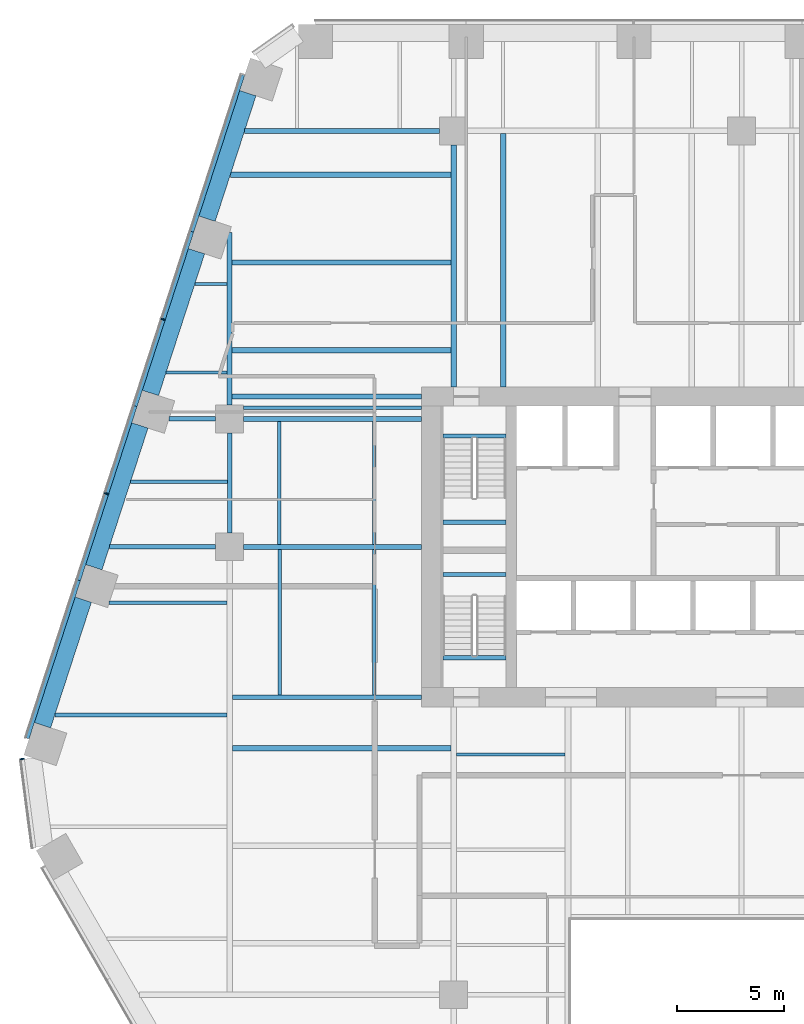
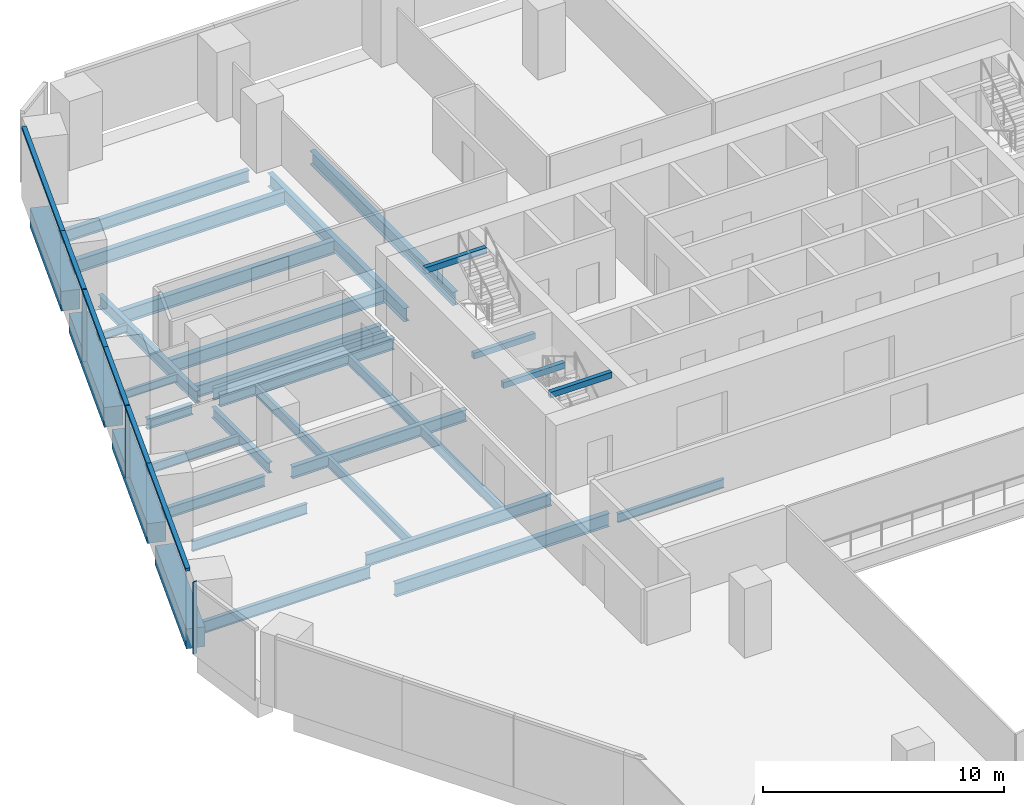
# One storey, part 8 of 19: 34 beams, 9 members, 2 elements without a shape of their own.
"""IFC4 building model written with IfcOpenShell, lengths in metres."""

import ifcopenshell
import ifcopenshell.guid

model = None  # the IFC model being written
_history = None  # IfcOwnerHistory: only IFC2X3 demands one
_inside = {}  # id of a spatial element -> (the spatial element, [elements in it])
_under = {}  # id of a project, library or spatial element -> (it, [spatial elements below it])
_declared = {}  # id of a project -> (the project, [libraries it declares])
_typed = {}  # id of a type object -> (the type object, [elements of that type])
_made_of = {}  # id of a material, layer set ... -> (it, [elements and type objects made of it])


def new_model(schema):
    """Start an empty IFC model of exactly this schema.

    Asked for "IFC4X3", IfcOpenShell would pick the latest addendum, in which some entities
    have other attributes; the version numbers below select the first issue.
    IFC2X3 requires an IfcOwnerHistory on every rooted entity: one is made here for all.
    """
    global model, _history
    if schema == "IFC4X3":
        model = ifcopenshell.file(schema_version=(4, 3, 0, 0))
    else:
        model = ifcopenshell.file(schema=schema)
    _inside.clear()
    _under.clear()
    _declared.clear()
    _typed.clear()
    _made_of.clear()
    _history = None
    if model.schema == "IFC2X3":
        org = make("IfcOrganization", Name="unknown")
        user = make(
            "IfcPersonAndOrganization",
            ThePerson=make("IfcPerson", FamilyName="unknown"),
            TheOrganization=org,
        )
        app = make(
            "IfcApplication",
            ApplicationDeveloper=org,
            Version="unknown",
            ApplicationFullName="unknown",
            ApplicationIdentifier="unknown",
        )
        _history = make(
            "IfcOwnerHistory",
            OwningUser=user,
            OwningApplication=app,
            ChangeAction="ADDED",
            CreationDate=0,
        )
    return model


def make(cls, **values):
    """One entity of the class cls with the attributes given. An attribute that is None is left unset."""
    return model.create_entity(
        cls, **{name: value for name, value in values.items() if value is not None}
    )


def rooted(cls, **values):
    """An entity with a GlobalId (a new one), such as an element, a storey or a relation."""
    return make(cls, GlobalId=ifcopenshell.guid.new(), OwnerHistory=_history, **values)


def si_unit(unit_type, name, prefix=None):
    """IfcSIUnit, for example si_unit("LENGTHUNIT", "METRE", prefix="MILLI")."""
    return make("IfcSIUnit", UnitType=unit_type, Prefix=prefix, Name=name)


def assignment(units):
    """IfcUnitAssignment: the units of a project."""
    return None if units is None else make("IfcUnitAssignment", Units=units)


def point(xyz):
    """IfcCartesianPoint."""
    return None if xyz is None else make("IfcCartesianPoint", Coordinates=xyz)


def direction(xyz):
    """IfcDirection."""
    return None if xyz is None else make("IfcDirection", DirectionRatios=xyz)


def frame(location, z_axis=None, x_axis=None):
    """IfcAxis2Placement3D, a coordinate frame: its origin and axes. An axis left out is left unset."""
    return make(
        "IfcAxis2Placement3D",
        Location=point(location),
        Axis=direction(z_axis),
        RefDirection=direction(x_axis),
    )


def frame_2d(location, x_axis=None):
    """IfcAxis2Placement2D, a coordinate frame in the plane: its origin and x axis."""
    return make(
        "IfcAxis2Placement2D", Location=point(location), RefDirection=direction(x_axis)
    )


def origin():
    """The frame at (0, 0, 0) with its axes left unset."""
    return frame((0.0, 0.0, 0.0))


def origin_2d():
    """The frame at (0, 0) in the plane with its x axis left unset."""
    return frame_2d((0.0, 0.0))


def place(relative_to, where):
    """IfcLocalPlacement: puts the frame where relative to a parent placement (None: the world)."""
    return make(
        "IfcLocalPlacement", PlacementRelTo=relative_to, RelativePlacement=where
    )


def context(
    kind, dimensions, precision=None, world=None, true_north=None, identifier=None
):
    """IfcGeometricRepresentationContext, for example the 3D "Model" context."""
    return make(
        "IfcGeometricRepresentationContext",
        ContextIdentifier=identifier,
        ContextType=kind,
        CoordinateSpaceDimension=dimensions,
        Precision=precision,
        WorldCoordinateSystem=world,
        TrueNorth=true_north,
    )


def subcontext(parent, identifier, kind, view, scale=None):
    """IfcGeometricRepresentationSubContext, for example "Body" below "Model"."""
    return make(
        "IfcGeometricRepresentationSubContext",
        ContextIdentifier=identifier,
        ContextType=kind,
        ParentContext=parent,
        TargetScale=scale,
        TargetView=view,
    )


def project(units=None, contexts=None):
    """IfcProject with its units and contexts."""
    return rooted(
        "IfcProject",
        Name="project",
        RepresentationContexts=contexts,
        UnitsInContext=assignment(units),
    )


def spatial(cls, under=None, at=None, **own):
    """A site, building, storey or space (cls), placed at a placement, below another one or the project."""
    s = rooted(cls, ObjectPlacement=at, **own)
    if under is not None:
        _under.setdefault(under.id(), (under, []))[1].append(s)
    return s


def profile(cls, at=None, kind="AREA", **sizes):
    """A parametric profile (cls). Its sizes go by their IFC names, for example OverallWidth=200.0."""
    return make(cls, ProfileType=kind, Position=at, **sizes)


def rectangle(**sizes):
    """IfcRectangleProfileDef."""
    return profile("IfcRectangleProfileDef", **sizes)


def i_section(**sizes):
    """IfcIShapeProfileDef."""
    return profile("IfcIShapeProfileDef", **sizes)


def extrude(swept, where, along, depth):
    """IfcExtrudedAreaSolid: the profile swept, set in the frame where, extruded along a direction by depth."""
    return make(
        "IfcExtrudedAreaSolid",
        SweptArea=swept,
        Position=where,
        ExtrudedDirection=direction(along),
        Depth=depth,
    )


def shape(context_of_items, identifier, shape_type, items):
    """IfcShapeRepresentation: the items that make up one representation, for example the "Body"."""
    return make(
        "IfcShapeRepresentation",
        ContextOfItems=context_of_items,
        RepresentationIdentifier=identifier,
        RepresentationType=shape_type,
        Items=items,
    )


def material(Name=None, Category=None):
    """IfcMaterial."""
    return make("IfcMaterial", Name=Name, Category=Category)


def layer(
    of_material, thickness, ventilated=None, Name=None, Category=None, Priority=None
):
    """IfcMaterialLayer: one layer of a wall or slab, of a material (None: an air gap)."""
    return make(
        "IfcMaterialLayer",
        Material=of_material,
        LayerThickness=thickness,
        IsVentilated=ventilated,
        Name=Name,
        Category=Category,
        Priority=Priority,
    )


def layer_set(layers, Name=None):
    """IfcMaterialLayerSet."""
    return make("IfcMaterialLayerSet", MaterialLayers=layers, LayerSetName=Name)


def material_profile(
    of_material, cross_section, Name=None, Category=None, Priority=None
):
    """IfcMaterialProfile: a cross section and its material."""
    return make(
        "IfcMaterialProfile",
        Name=Name,
        Material=of_material,
        Profile=cross_section,
        Priority=Priority,
        Category=Category,
    )


def profile_set(profiles, Name=None, composite=None):
    """IfcMaterialProfileSet."""
    return make(
        "IfcMaterialProfileSet",
        Name=Name,
        MaterialProfiles=profiles,
        CompositeProfile=composite,
    )


def made_of(thing, what):
    """Note that an element or type object is made of a material, layer set ...; save() writes the relation."""
    if what is not None:
        _made_of.setdefault(what.id(), (what, []))[1].append(thing)
    return thing


def type_object(cls, material=None, **own):
    """A type object (cls), such as IfcWallType, which elements share."""
    return made_of(rooted(cls, **own), material)


def element(
    cls,
    number,
    at=None,
    inside=None,
    cuts=None,
    type_object=None,
    material=None,
    context=None,
    identifier="Body",
    shape_type=None,
    held_by="IfcProductDefinitionShape",
    body=None,
    shapes=None,
    **own,
):
    """One element of the class cls, such as IfcWall. Its Tag is "e" and its number.

    at: its placement. inside: the storey or other place that contains it. cuts: it is an
    opening in that element (IfcRelVoidsElement). A single representation is given by context,
    identifier, shape_type and body (its items); several are given by shapes. held_by: the class
    of the entity that holds the representations. save() writes the other relations.
    """
    e = rooted(cls, Tag="e%d" % number, ObjectPlacement=at, **own)
    if body is not None:
        shapes = [shape(context, identifier, shape_type, body)]
    if shapes is not None:
        e.Representation = make(held_by, Representations=shapes)
    if inside is not None:
        _inside.setdefault(inside.id(), (inside, []))[1].append(e)
    if cuts is not None:
        rooted(
            "IfcRelVoidsElement", RelatingBuildingElement=cuts, RelatedOpeningElement=e
        )
    if type_object is not None:
        _typed.setdefault(type_object.id(), (type_object, []))[1].append(e)
    return made_of(e, material)


def aggregate(whole, parts):
    """IfcRelAggregates: a whole, such as a stair, and the parts it consists of."""
    return rooted("IfcRelAggregates", RelatingObject=whole, RelatedObjects=parts)


def save(model, path):
    """Write the relations noted so far, then the file.

    IfcRelAggregates (storeys below a building ...), IfcRelContainedInSpatialStructure (elements
    in a storey), IfcRelDefinesByType, IfcRelAssociatesMaterial and IfcRelDeclares: one each for
    every whole, place, type object, material and project.
    """
    for whole, parts in _under.values():
        aggregate(whole, parts)
    for where, things in _inside.values():
        rooted(
            "IfcRelContainedInSpatialStructure",
            RelatedElements=things,
            RelatingStructure=where,
        )
    for kind, things in _typed.values():
        rooted("IfcRelDefinesByType", RelatedObjects=things, RelatingType=kind)
    for what, things in _made_of.values():
        rooted("IfcRelAssociatesMaterial", RelatedObjects=things, RelatingMaterial=what)
    for by, libraries in _declared.values():
        rooted("IfcRelDeclares", RelatingContext=by, RelatedDefinitions=libraries)
    model.write(path)


model = new_model("IFC4")

# Units and contexts
model_context = context("Model", 3, precision=1e-05, world=origin(), true_north=direction((0.0, 1.0)))
body_context = subcontext(model_context, "Body", "Model", "MODEL_VIEW")
ifc_project = project(units=[si_unit("LENGTHUNIT", "METRE"), si_unit("AREAUNIT", "SQUARE_METRE"), si_unit("VOLUMEUNIT", "CUBIC_METRE"), si_unit("PLANEANGLEUNIT", "RADIAN"), si_unit("MASSUNIT", "GRAM", prefix="KILO")], contexts=[model_context])

# Site, building, storey
site_placement = place(None, origin())
site = spatial("IfcSite", under=ifc_project, at=site_placement, CompositionType="ELEMENT")
building_placement = place(site_placement, origin())
building = spatial("IfcBuilding", under=site, at=building_placement, Name="Isthmus Gate Tower", CompositionType="ELEMENT")
storey_placement = place(building_placement, frame((0.0, 0.0, 91.60009765625)))
storey = spatial("IfcBuildingStorey", under=building, at=storey_placement, Name="L21", CompositionType="ELEMENT", Elevation=91.60009765625)

# Curtain wall, members
ifc_material_1 = material(Name="Aluminium, pale champagne anodised", Category="aluminium")
ifc_layer = layer(ifc_material_1, 0.199951171875)
ifc_layer_set = layer_set([ifc_layer], Name="CW-1 UNITISED CURTAIN WALL 200 DEEP")
curtain_wall_type = type_object("IfcCurtainWallType", Name="CW-1 UNITISED CURTAIN WALL 200 DEEP", PredefinedType="NOTDEFINED", material=ifc_layer_set)
curtain_wall_1_placement = place(storey_placement, origin())
curtain_wall_1 = element("IfcCurtainWall", 1, at=curtain_wall_1_placement, inside=storey, type_object=curtain_wall_type, Name="CW-1 NW L21", PredefinedType="NOTDEFINED")
ifc_material_2 = material(Name="Aluminium, pale champagne anodised", Category="aluminium")
ifc_material_profile_1 = material_profile(ifc_material_2, rectangle(XDim=0.06005859375, YDim=0.199951171875, at=origin_2d()), Name="60x200")
ifc_profile_set_1 = profile_set([ifc_material_profile_1], Name="Aluminium, pale champagne anodised")
member_type_1 = type_object("IfcMemberType", Name="CW-1 MULLION 60 X 200", PredefinedType="MULLION", material=ifc_profile_set_1)
member_1_placement = place(storey_placement, frame((-27.11474609375, 18.163818359375, 0.0), z_axis=(0.0, 0.0, 1.0), x_axis=(-0.309016994375, -0.951056516295, 0.0)))
member_1 = element("IfcMember", 2, at=member_1_placement, type_object=member_type_1, Name="CW-1 mullion", PredefinedType="MULLION", context=body_context, shape_type="SweptSolid", body=[
    extrude(rectangle(XDim=0.06005859375, YDim=0.199951171875, at=origin_2d()), origin(), (0.0, 0.0, 1.0), 3.64990234375),
])
member_2_placement = place(storey_placement, frame((-29.76904296875, 9.994873046875, 0.0), z_axis=(0.0, 0.0, 1.0), x_axis=(-0.309016994375, -0.951056516295, 0.0)))
member_2 = element("IfcMember", 3, at=member_2_placement, type_object=member_type_1, Name="CW-1 mullion", PredefinedType="MULLION", context=body_context, shape_type="SweptSolid", body=[
    extrude(rectangle(XDim=0.06005859375, YDim=0.199951171875, at=origin_2d()), origin(), (0.0, 0.0, 1.0), 3.64990234375),
])

# Curtain wall, member
curtain_wall_2_placement = place(storey_placement, origin())
curtain_wall_2 = element("IfcCurtainWall", 4, at=curtain_wall_2_placement, inside=storey, type_object=curtain_wall_type, Name="CW-1 NW-SW L21", PredefinedType="NOTDEFINED")
member_3_placement = place(storey_placement, frame((-33.722900390625, -2.44482421875, 0.0), z_axis=(0.0, 0.0, 1.0), x_axis=(0.129164534, -0.991623175988, 0.0)))
member_3 = element("IfcMember", 5, at=member_3_placement, type_object=member_type_1, Name="CW-1 mullion", PredefinedType="MULLION", context=body_context, shape_type="SweptSolid", body=[
    extrude(rectangle(XDim=0.06005859375, YDim=0.199951171875, at=origin_2d()), origin(), (0.0, 0.0, 1.0), 3.64990234375),
])
aggregate(curtain_wall_2, [member_3])

# Member
ifc_material_3 = material(Name="Aluminium, pale champagne anodised", Category="aluminium")
ifc_material_profile_2 = material_profile(ifc_material_3, rectangle(XDim=0.199951171875, YDim=0.14990234375, at=origin_2d()), Name="200x150")
ifc_profile_set_2 = profile_set([ifc_material_profile_2], Name="Aluminium, pale champagne anodised")
member_type_2 = type_object("IfcMemberType", Name="CW-1 TRANSOM 200 X 150", PredefinedType="USERDEFINED", material=ifc_profile_set_2)
member_4_placement = place(storey_placement, frame((-23.389892578125, 29.6279296875, 3.574951171875), z_axis=(-0.309036077329, -0.951050315656, 0.0), x_axis=(0.951050315656, -0.309036077329, 0.0)))
member_4 = element("IfcMember", 6, at=member_4_placement, type_object=member_type_2, Name="CW-1 transom", ObjectType="TRANSOM", PredefinedType="USERDEFINED", context=body_context, shape_type="SweptSolid", body=[
    extrude(rectangle(XDim=0.199951171875, YDim=0.14990234375, at=origin_2d()), origin(), (0.0, 0.0, 1.0), 7.7294921875),
])

member_5_placement = place(storey_placement, frame((-25.778564453125, 22.27685546875, 3.574951171875), z_axis=(-0.309021801109, -0.951054954479, 0.0), x_axis=(0.951054954479, -0.309021801109, 0.0)))
member_5 = element("IfcMember", 7, at=member_5_placement, type_object=member_type_2, Name="CW-1 transom", ObjectType="TRANSOM", PredefinedType="USERDEFINED", context=body_context, shape_type="SweptSolid", body=[
    extrude(rectangle(XDim=0.199951171875, YDim=0.14990234375, at=origin_2d()), origin(), (0.0, 0.0, 1.0), 4.294677734375),
])

member_6_placement = place(storey_placement, frame((-27.1240234375, 18.13525390625, 3.574951171875), z_axis=(-0.309023496777, -0.951054403512, 0.0), x_axis=(0.951054403512, -0.309023496777, 0.0)))
member_6 = element("IfcMember", 8, at=member_6_placement, type_object=member_type_2, Name="CW-1 transom", ObjectType="TRANSOM", PredefinedType="USERDEFINED", context=body_context, shape_type="SweptSolid", body=[
    extrude(rectangle(XDim=0.199951171875, YDim=0.14990234375, at=origin_2d()), origin(), (0.0, 0.0, 1.0), 4.234619140625),
])

member_7_placement = place(storey_placement, frame((-28.4326171875, 14.10791015625, 3.574951171875), z_axis=(-0.309021801109, -0.951054954479, 0.0), x_axis=(0.951054954479, -0.309021801109, 0.0)))
member_7 = element("IfcMember", 9, at=member_7_placement, type_object=member_type_2, Name="CW-1 transom", ObjectType="TRANSOM", PredefinedType="USERDEFINED", context=body_context, shape_type="SweptSolid", body=[
    extrude(rectangle(XDim=0.199951171875, YDim=0.14990234375, at=origin_2d()), origin(), (0.0, 0.0, 1.0), 4.294677734375),
])

member_8_placement = place(storey_placement, frame((-29.7783203125, 9.96630859375, 3.574951171875), z_axis=(-0.309023496777, -0.951054403512, 0.0), x_axis=(0.951054403512, -0.309023496777, 0.0)))
member_8 = element("IfcMember", 10, at=member_8_placement, type_object=member_type_2, Name="CW-1 transom", ObjectType="TRANSOM", PredefinedType="USERDEFINED", context=body_context, shape_type="SweptSolid", body=[
    extrude(rectangle(XDim=0.199951171875, YDim=0.14990234375, at=origin_2d()), origin(), (0.0, 0.0, 1.0), 4.234619140625),
])

member_9_placement = place(storey_placement, frame((-31.0869140625, 5.93896484375, 3.574951171875), z_axis=(-0.309015907338, -0.951056869494, 0.0), x_axis=(0.951056869494, -0.309015907338, 0.0)))
member_9 = element("IfcMember", 11, at=member_9_placement, type_object=member_type_2, Name="CW-1 transom", ObjectType="TRANSOM", PredefinedType="USERDEFINED", context=body_context, shape_type="SweptSolid", body=[
    extrude(rectangle(XDim=0.199951171875, YDim=0.14990234375, at=origin_2d()), origin(), (0.0, 0.0, 1.0), 7.789306640625),
])

aggregate(curtain_wall_1, [member_4, member_5, member_1, member_6, member_7, member_2, member_8, member_9])

# Beams
ifc_material_4 = material(Name="Concrete f'c 70 MPa", Category="concrete")
ifc_material_profile_3 = material_profile(ifc_material_4, rectangle(XDim=0.800048828125, YDim=1.0, at=origin_2d()), Name="RC 800X1000")
ifc_profile_set_3 = profile_set([ifc_material_profile_3], Name="Concrete f'c 70 MPa")
beam_type_1 = type_object("IfcBeamType", Name="RC SPANDREL 800 X 1000", PredefinedType="SPANDREL", material=ifc_profile_set_3)
beam_1_placement = place(storey_placement, frame((-32.771240234375, -0.86279296875, -0.5), z_axis=(0.309012042366, 0.951058125286, 0.0), x_axis=(-0.951058125286, 0.309012042366, 0.0)))
element("IfcBeam", 12, at=beam_1_placement, inside=storey, type_object=beam_type_1, Name="str-spandrel-L21-18", PredefinedType="SPANDREL", context=body_context, shape_type="SweptSolid", body=[
    extrude(rectangle(XDim=0.800048828125, YDim=1.0, at=origin_2d()), origin(), (0.0, 0.0, 1.0), 6.189453125),
])
for number, where, z_axis, x_axis, name in (
    (13, (-30.3642578125, 6.54541015625, -0.5), (0.309029993465, 0.951052292537, 0.0), (-0.951052292537, 0.309029993465, 0.0), "str-spandrel-L21-19"),
    (14, (-27.7099609375, 14.71435546875, -0.5), (0.309029993465, 0.951052292537, 0.0), (-0.951052292537, 0.309029993465, 0.0), "str-spandrel-L21-20"),
):
    element("IfcBeam", number, at=place(storey_placement, frame(where, z_axis=z_axis, x_axis=x_axis)), inside=storey, type_object=beam_type_1, Name=name, PredefinedType="SPANDREL", context=body_context, shape_type="SweptSolid", body=[
        extrude(rectangle(XDim=0.800048828125, YDim=1.0, at=origin_2d()), origin(), (0.0, 0.0, 1.0), 6.9892578125),
    ])
beam_2_placement = place(storey_placement, frame((-25.0556640625, 22.88330078125, -0.5), z_axis=(0.309023635203, 0.951054358534, 0.0), x_axis=(-0.951054358534, 0.309023635203, 0.0)))
element("IfcBeam", 15, at=beam_2_placement, inside=storey, type_object=beam_type_1, Name="str-spandrel-L21-21", PredefinedType="SPANDREL", context=body_context, shape_type="SweptSolid", body=[
    extrude(rectangle(XDim=0.800048828125, YDim=1.0, at=origin_2d()), origin(), (0.0, 0.0, 1.0), 6.189208984375),
])
ifc_material_5 = material(Name="Concrete f'c 40 MPa", Category="concrete")
ifc_material_profile_4 = material_profile(ifc_material_5, rectangle(XDim=0.199951171875, YDim=0.300048828125, at=origin_2d()), Name="STAIR LANDING BEAM RC 200 X 300")
ifc_profile_set_4 = profile_set([ifc_material_profile_4], Name="Concrete f'c 40 MPa")
beam_type_2 = type_object("IfcBeamType", Name="STAIR LANDING BEAM RC 200 X 300", PredefinedType="BEAM", material=ifc_profile_set_4)
for number, where, z_axis, x_axis, name in (
    (16, (-14.0, 8.64990234375, 1.474853515625), (1.0, 0.0, 0.0), (0.0, 1.0, 0.0), "L21 ST1 landing beam 1"),
    (17, (-14.0, 12.7001953125, 3.349853515625), (1.0, 0.0, 0.0), (0.0, 1.0, 0.0), "L21 ST1 floor-edge seat beam"),
    (18, (-14.0, 6.199951171875, 1.474853515625), (1.0, 0.0, 0.0), (0.0, 1.0, 0.0), "L21 ST7 landing beam 1"),
    (19, (-14.0, 2.2998046875, 3.349853515625), (1.0, 0.0, 0.0), (0.0, 1.0, 0.0), "L21 ST7 floor-edge seat beam"),
):
    element("IfcBeam", number, at=place(storey_placement, frame(where, z_axis=z_axis, x_axis=x_axis)), inside=storey, type_object=beam_type_2, Name=name, PredefinedType="BEAM", context=body_context, shape_type="SweptSolid", body=[
        extrude(rectangle(XDim=0.199951171875, YDim=0.300048828125, at=origin_2d()), origin(), (0.0, 0.0, 1.0), 2.949951171875),
    ])
ifc_material_6 = material(Name="Structural steel ASTM A992 Gr 50", Category="steel")
ifc_material_profile_5 = material_profile(ifc_material_6, i_section(OverallWidth=0.1396484375, OverallDepth=0.4033203125, WebThickness=0.00634765625, FlangeThickness=0.010986328125, at=origin_2d()), Name="W16X31")
ifc_profile_set_5 = profile_set([ifc_material_profile_5], Name="Structural steel ASTM A992 Gr 50")
beam_type_3 = type_object("IfcBeamType", Name="STEEL FLOOR BEAM W16X31", PredefinedType="JOIST", material=ifc_profile_set_5)
beam_3_placement = place(storey_placement, frame((-26.976318359375, 15.677978515625, -0.351806640625), z_axis=(1.0, 0.0, 0.0), x_axis=(0.0, 1.0, 0.0)))
element("IfcBeam", 20, at=beam_3_placement, inside=storey, type_object=beam_type_3, Name="str-beam-L21-02-00", PredefinedType="JOIST", context=body_context, shape_type="SweptSolid", body=[
    extrude(i_section(OverallWidth=0.1396484375, OverallDepth=0.4033203125, WebThickness=0.00634765625, FlangeThickness=0.010986328125, at=origin_2d()), origin(), (0.0, 0.0, 1.0), 2.862060546875),
])
beam_4_placement = place(storey_placement, frame((-25.629150390625, 19.82421875, -0.351806640625), z_axis=(1.0, 0.0, 0.0), x_axis=(0.0, 1.0, 0.0)))
element("IfcBeam", 21, at=beam_4_placement, inside=storey, type_object=beam_type_3, Name="str-beam-L21-02-01", PredefinedType="JOIST", context=body_context, shape_type="SweptSolid", body=[
    extrude(i_section(OverallWidth=0.1396484375, OverallDepth=0.4033203125, WebThickness=0.00634765625, FlangeThickness=0.010986328125, at=origin_2d()), origin(), (0.0, 0.0, 1.0), 1.514892578125),
])
ifc_material_7 = material(Name="Structural steel ASTM A992 Gr 50", Category="steel")
ifc_material_profile_6 = material_profile(ifc_material_7, i_section(OverallWidth=0.15234375, OverallDepth=0.45068359375, WebThickness=0.0078125, FlangeThickness=0.010986328125, at=origin_2d()), Name="W18X35")
ifc_profile_set_6 = profile_set([ifc_material_profile_6], Name="Structural steel ASTM A992 Gr 50")
beam_type_4 = type_object("IfcBeamType", Name="STEEL FLOOR BEAM W18X35", PredefinedType="JOIST", material=ifc_profile_set_6)
beam_5_placement = place(storey_placement, frame((-28.6416015625, 10.552490234375, -0.37548828125), z_axis=(1.0, 0.0, 0.0), x_axis=(0.0, 1.0, 0.0)))
element("IfcBeam", 22, at=beam_5_placement, inside=storey, type_object=beam_type_4, Name="str-beam-L21-01-00", PredefinedType="JOIST", context=body_context, shape_type="SweptSolid", body=[
    extrude(i_section(OverallWidth=0.15234375, OverallDepth=0.45068359375, WebThickness=0.0078125, FlangeThickness=0.010986328125, at=origin_2d()), origin(), (0.0, 0.0, 1.0), 4.536865234375),
])
beam_6_placement = place(storey_placement, frame((-13.3681640625, -2.232421875, -0.37548828125), z_axis=(1.0, 0.0, 0.0), x_axis=(0.0, 1.0, 0.0)))
element("IfcBeam", 23, at=beam_6_placement, inside=storey, type_object=beam_type_4, Name="str-beam-L21-12-02", PredefinedType="JOIST", context=body_context, shape_type="SweptSolid", body=[
    extrude(i_section(OverallWidth=0.15234375, OverallDepth=0.45068359375, WebThickness=0.0078125, FlangeThickness=0.010986328125, at=origin_2d()), origin(), (0.0, 0.0, 1.0), 5.1015625),
])
ifc_material_8 = material(Name="Structural steel ASTM A992 Gr 50", Category="steel")
ifc_material_profile_7 = material_profile(ifc_material_8, i_section(OverallWidth=0.1650390625, OverallDepth=0.52392578125, WebThickness=0.009521484375, FlangeThickness=0.010986328125, at=origin_2d()), Name="W21X44")
ifc_profile_set_7 = profile_set([ifc_material_profile_7], Name="Structural steel ASTM A992 Gr 50")
beam_type_5 = type_object("IfcBeamType", Name="STEEL FLOOR BEAM W21X44", PredefinedType="JOIST", material=ifc_profile_set_7)
beam_7_placement = place(storey_placement, frame((-29.645263671875, 4.875, -0.412109375), z_axis=(1.0, 0.0, 0.0), x_axis=(0.0, 1.0, 0.0)))
element("IfcBeam", 24, at=beam_7_placement, inside=storey, type_object=beam_type_5, Name="str-beam-L21-00-03", PredefinedType="JOIST", context=body_context, shape_type="SweptSolid", body=[
    extrude(i_section(OverallWidth=0.1650390625, OverallDepth=0.52392578125, WebThickness=0.009521484375, FlangeThickness=0.010986328125, at=origin_2d()), origin(), (0.0, 0.0, 1.0), 5.511962890625),
])
for number, where, z_axis, x_axis, name in (
    (25, (-21.64990234375, 0.564208984375, -0.412109375), (0.0, 1.0, 0.0), (-1.0, 0.0, 0.0), "str-beam-L21-03-00"),
    (26, (-17.216552734375, 0.564208984375, -0.412109375), (0.0, 1.0, 0.0), (-1.0, 0.0, 0.0), "str-beam-L21-03-01"),
):
    element("IfcBeam", number, at=place(storey_placement, frame(where, z_axis=z_axis, x_axis=x_axis)), inside=storey, type_object=beam_type_5, Name=name, PredefinedType="JOIST", context=body_context, shape_type="SweptSolid", body=[
        extrude(i_section(OverallWidth=0.1650390625, OverallDepth=0.52392578125, WebThickness=0.009521484375, FlangeThickness=0.010986328125, at=origin_2d()), origin(), (0.0, 0.0, 1.0), 6.821533203125),
    ])
for number, where, z_axis, x_axis, name in (
    (27, (-21.67138671875, 7.6142578125, -0.412109375), (0.0, 1.0, 0.0), (-1.0, 0.0, 0.0), "str-beam-L21-04-00"),
    (28, (-17.223876953125, 7.6142578125, -0.412109375), (0.0, 1.0, 0.0), (-1.0, 0.0, 0.0), "str-beam-L21-04-01"),
):
    element("IfcBeam", number, at=place(storey_placement, frame(where, z_axis=z_axis, x_axis=x_axis)), inside=storey, type_object=beam_type_5, Name=name, PredefinedType="JOIST", context=body_context, shape_type="SweptSolid", body=[
        extrude(i_section(OverallWidth=0.1650390625, OverallDepth=0.52392578125, WebThickness=0.009521484375, FlangeThickness=0.010986328125, at=origin_2d()), origin(), (0.0, 0.0, 1.0), 5.771484375),
    ])
ifc_material_9 = material(Name="Structural steel ASTM A992 Gr 50", Category="steel")
ifc_material_profile_8 = material_profile(ifc_material_9, i_section(OverallWidth=0.177734375, OverallDepth=0.60009765625, WebThickness=0.009521484375, FlangeThickness=0.0126953125, at=origin_2d()), Name="W24X55")
ifc_profile_set_8 = profile_set([ifc_material_profile_8], Name="Structural steel ASTM A992 Gr 50")
beam_type_6 = type_object("IfcBeamType", Name="STEEL FLOOR BEAM W24X55", PredefinedType="JOIST", material=ifc_profile_set_8)
beam_8_placement = place(storey_placement, frame((-32.192138671875, -0.375, -0.4501953125), z_axis=(1.0, 0.0, 0.0), x_axis=(0.0, 1.0, 0.0)))
element("IfcBeam", 29, at=beam_8_placement, inside=storey, type_object=beam_type_6, Name="str-beam-L21-00-02", PredefinedType="JOIST", context=body_context, shape_type="SweptSolid", body=[
    extrude(i_section(OverallWidth=0.177734375, OverallDepth=0.60009765625, WebThickness=0.009521484375, FlangeThickness=0.0126953125, at=origin_2d()), origin(), (0.0, 0.0, 1.0), 8.058837890625),
])
beam_9_placement = place(storey_placement, frame((-23.35009765625, 14.02490234375, -0.4501953125), z_axis=(1.0, 0.0, 0.0), x_axis=(0.0, 1.0, 0.0)))
element("IfcBeam", 30, at=beam_9_placement, inside=storey, type_object=beam_type_6, Name="str-beam-L21-05-00", PredefinedType="JOIST", context=body_context, shape_type="SweptSolid", body=[
    extrude(i_section(OverallWidth=0.177734375, OverallDepth=0.60009765625, WebThickness=0.009521484375, FlangeThickness=0.0126953125, at=origin_2d()), origin(), (0.0, 0.0, 1.0), 8.35009765625),
])
ifc_material_10 = material(Name="Structural steel ASTM A992 Gr 50", Category="steel")
ifc_material_profile_9 = material_profile(ifc_material_10, i_section(OverallWidth=0.25390625, OverallDepth=0.679443359375, WebThickness=0.010986328125, FlangeThickness=0.015869140625, at=origin_2d()), Name="W27X84")
ifc_profile_set_9 = profile_set([ifc_material_profile_9], Name="Structural steel ASTM A992 Gr 50")
beam_type_7 = type_object("IfcBeamType", Name="STEEL FLOOR BEAM W27X84", PredefinedType="JOIST", material=ifc_profile_set_9)
for number, where, z_axis, x_axis, name in (
    (31, (-23.8857421875, 16.72021484375, -0.48974609375), (1.0, 0.0, 0.0), (0.0, 1.0, 0.0), "str-beam-L21-07-00"),
    (32, (-23.8857421875, 20.83203125, -0.48974609375), (1.0, 0.0, 0.0), (0.0, 1.0, 0.0), "str-beam-L21-07-01"),
):
    element("IfcBeam", number, at=place(storey_placement, frame(where, z_axis=z_axis, x_axis=x_axis)), inside=storey, type_object=beam_type_7, Name=name, PredefinedType="JOIST", context=body_context, shape_type="SweptSolid", body=[
        extrude(i_section(OverallWidth=0.25390625, OverallDepth=0.679443359375, WebThickness=0.010986328125, FlangeThickness=0.015869140625, at=origin_2d()), origin(), (0.0, 0.0, 1.0), 10.2587890625),
    ])
beam_10_placement = place(storey_placement, frame((-23.965576171875, 24.944091796875, -0.48974609375), z_axis=(1.0, 0.0, 0.0), x_axis=(0.0, 1.0, 0.0)))
element("IfcBeam", 33, at=beam_10_placement, inside=storey, type_object=beam_type_7, Name="str-beam-L21-07-02", PredefinedType="JOIST", context=body_context, shape_type="SweptSolid", body=[
    extrude(i_section(OverallWidth=0.25390625, OverallDepth=0.679443359375, WebThickness=0.010986328125, FlangeThickness=0.015869140625, at=origin_2d()), origin(), (0.0, 0.0, 1.0), 10.338623046875),
])
beam_11_placement = place(storey_placement, frame((-23.86669921875, -1.947998046875, -0.48974609375), z_axis=(1.0, 0.0, 0.0), x_axis=(0.0, 1.0, 0.0)))
element("IfcBeam", 34, at=beam_11_placement, inside=storey, type_object=beam_type_7, Name="str-beam-L21-08-02", PredefinedType="JOIST", context=body_context, shape_type="SweptSolid", body=[
    extrude(i_section(OverallWidth=0.25390625, OverallDepth=0.679443359375, WebThickness=0.010986328125, FlangeThickness=0.015869140625, at=origin_2d()), origin(), (0.0, 0.0, 1.0), 10.23486328125),
])
beam_12_placement = place(storey_placement, frame((-11.165283203125, 15.0, -0.48974609375), z_axis=(0.0, 1.0, 0.0), x_axis=(-1.0, 0.0, 0.0)))
element("IfcBeam", 35, at=beam_12_placement, inside=storey, type_object=beam_type_7, Name="str-beam-L21-14-00", PredefinedType="JOIST", context=body_context, shape_type="SweptSolid", body=[
    extrude(i_section(OverallWidth=0.25390625, OverallDepth=0.679443359375, WebThickness=0.010986328125, FlangeThickness=0.015869140625, at=origin_2d()), origin(), (0.0, 0.0, 1.0), 11.8681640625),
])
ifc_material_11 = material(Name="Structural steel ASTM A992 Gr 50", Category="steel")
ifc_material_profile_10 = material_profile(ifc_material_11, i_section(OverallWidth=0.20947265625, OverallDepth=0.533447265625, WebThickness=0.009521484375, FlangeThickness=0.015869140625, at=origin_2d()), Name="W21X62")
ifc_profile_set_10 = profile_set([ifc_material_profile_10], Name="Structural steel ASTM A992 Gr 50")
beam_type_8 = type_object("IfcBeamType", Name="STEEL GIRDER W21X62", PredefinedType="BEAM", material=ifc_profile_set_10)
beam_13_placement = place(storey_placement, frame((-29.633544921875, 7.5, -0.416748046875), z_axis=(1.0, 0.0, 0.0), x_axis=(0.0, 1.0, 0.0)))
element("IfcBeam", 36, at=beam_13_placement, inside=storey, type_object=beam_type_8, Name="str-girder-L21-09", PredefinedType="BEAM", context=body_context, shape_type="SweptSolid", body=[
    extrude(i_section(OverallWidth=0.20947265625, OverallDepth=0.533447265625, WebThickness=0.009521484375, FlangeThickness=0.015869140625, at=origin_2d()), origin(), (0.0, 0.0, 1.0), 4.983642578125),
])
beam_14_placement = place(storey_placement, frame((-26.8427734375, 13.5, -0.416748046875), z_axis=(1.0, 0.0, 0.0), x_axis=(0.0, 1.0, 0.0)))
element("IfcBeam", 37, at=beam_14_placement, inside=storey, type_object=beam_type_8, Name="str-girder-L21-13", PredefinedType="BEAM", context=body_context, shape_type="SweptSolid", body=[
    extrude(i_section(OverallWidth=0.20947265625, OverallDepth=0.533447265625, WebThickness=0.009521484375, FlangeThickness=0.015869140625, at=origin_2d()), origin(), (0.0, 0.0, 1.0), 2.19287109375),
])
beam_15_placement = place(storey_placement, frame((-24.0, 8.14990234375, -0.416748046875), z_axis=(0.0, 1.0, 0.0), x_axis=(-1.0, 0.0, 0.0)))
element("IfcBeam", 38, at=beam_15_placement, inside=storey, type_object=beam_type_8, Name="str-girder-L21-22", PredefinedType="BEAM", context=body_context, shape_type="SweptSolid", body=[
    extrude(i_section(OverallWidth=0.20947265625, OverallDepth=0.533447265625, WebThickness=0.009521484375, FlangeThickness=0.015869140625, at=origin_2d()), origin(), (0.0, 0.0, 1.0), 4.7001953125),
])
ifc_material_12 = material(Name="Structural steel ASTM A992 Gr 50", Category="steel")
ifc_material_profile_11 = material_profile(ifc_material_12, i_section(OverallWidth=0.228515625, OverallDepth=0.6064453125, WebThickness=0.010986328125, FlangeThickness=0.017578125, at=origin_2d()), Name="W24X76")
ifc_profile_set_11 = profile_set([ifc_material_profile_11], Name="Structural steel ASTM A992 Gr 50")
beam_type_9 = type_object("IfcBeamType", Name="STEEL GIRDER W24X76", PredefinedType="BEAM", material=ifc_profile_set_11)
for number, where, z_axis, x_axis, name in (
    (39, (-23.35009765625, 7.5, -0.453369140625), (1.0, 0.0, 0.0), (0.0, 1.0, 0.0), "str-girder-L21-10"),
    (40, (-23.35009765625, 13.5, -0.453369140625), (1.0, 0.0, 0.0), (0.0, 1.0, 0.0), "str-girder-L21-14"),
):
    element("IfcBeam", number, at=place(storey_placement, frame(where, z_axis=z_axis, x_axis=x_axis)), inside=storey, type_object=beam_type_9, Name=name, PredefinedType="BEAM", context=body_context, shape_type="SweptSolid", body=[
        extrude(i_section(OverallWidth=0.228515625, OverallDepth=0.6064453125, WebThickness=0.010986328125, FlangeThickness=0.017578125, at=origin_2d()), origin(), (0.0, 0.0, 1.0), 8.35009765625),
    ])
beam_16_placement = place(storey_placement, frame((-23.297607421875, 27.0, -0.453369140625), z_axis=(1.0, 0.0, 0.0), x_axis=(0.0, 1.0, 0.0)))
element("IfcBeam", 41, at=beam_16_placement, inside=storey, type_object=beam_type_9, Name="str-girder-L21-17", PredefinedType="BEAM", context=body_context, shape_type="SweptSolid", body=[
    extrude(i_section(OverallWidth=0.228515625, OverallDepth=0.6064453125, WebThickness=0.010986328125, FlangeThickness=0.017578125, at=origin_2d()), origin(), (0.0, 0.0, 1.0), 9.147705078125),
])
beam_17_placement = place(storey_placement, frame((-24.0, 14.14990234375, -0.453369140625), z_axis=(0.0, 1.0, 0.0), x_axis=(-1.0, 0.0, 0.0)))
element("IfcBeam", 42, at=beam_17_placement, inside=storey, type_object=beam_type_9, Name="str-girder-L21-23", PredefinedType="BEAM", context=body_context, shape_type="SweptSolid", body=[
    extrude(i_section(OverallWidth=0.228515625, OverallDepth=0.6064453125, WebThickness=0.010986328125, FlangeThickness=0.017578125, at=origin_2d()), origin(), (0.0, 0.0, 1.0), 8.099365234375),
])
beam_18_placement = place(storey_placement, frame((-15.0, 0.449951171875, -0.453369140625), z_axis=(-1.0, 0.0, 0.0), x_axis=(0.0, -1.0, 0.0)))
element("IfcBeam", 43, at=beam_18_placement, inside=storey, type_object=beam_type_9, Name="str-girder-L21-39", PredefinedType="BEAM", context=body_context, shape_type="SweptSolid", body=[
    extrude(i_section(OverallWidth=0.228515625, OverallDepth=0.6064453125, WebThickness=0.010986328125, FlangeThickness=0.017578125, at=origin_2d()), origin(), (0.0, 0.0, 1.0), 8.86669921875),
])
beam_19_placement = place(storey_placement, frame((-15.0, 14.550048828125, -0.453369140625), z_axis=(-1.0, 0.0, 0.0), x_axis=(0.0, -1.0, 0.0)))
element("IfcBeam", 44, at=beam_19_placement, inside=storey, type_object=beam_type_9, Name="str-girder-L21-41", PredefinedType="BEAM", context=body_context, shape_type="SweptSolid", body=[
    extrude(i_section(OverallWidth=0.228515625, OverallDepth=0.6064453125, WebThickness=0.010986328125, FlangeThickness=0.017578125, at=origin_2d()), origin(), (0.0, 0.0, 1.0), 8.8857421875),
])
ifc_material_13 = material(Name="Structural steel ASTM A992 Gr 50", Category="steel")
ifc_material_profile_12 = material_profile(ifc_material_13, i_section(OverallWidth=0.25390625, OverallDepth=0.679443359375, WebThickness=0.010986328125, FlangeThickness=0.015869140625, at=origin_2d()), Name="W27X84")
ifc_profile_set_12 = profile_set([ifc_material_profile_12], Name="Structural steel ASTM A992 Gr 50")
beam_type_10 = type_object("IfcBeamType", Name="STEEL GIRDER W27X84", PredefinedType="BEAM", material=ifc_profile_set_12)
beam_20_placement = place(storey_placement, frame((-13.5, 15.0, -0.48974609375), z_axis=(0.0, 1.0, 0.0), x_axis=(-1.0, 0.0, 0.0)))
element("IfcBeam", 45, at=beam_20_placement, inside=storey, type_object=beam_type_10, Name="str-girder-L21-27", PredefinedType="BEAM", context=body_context, shape_type="SweptSolid", body=[
    extrude(i_section(OverallWidth=0.25390625, OverallDepth=0.679443359375, WebThickness=0.010986328125, FlangeThickness=0.015869140625, at=origin_2d()), origin(), (0.0, 0.0, 1.0), 11.35009765625),
])

save(model, "model.ifc")
